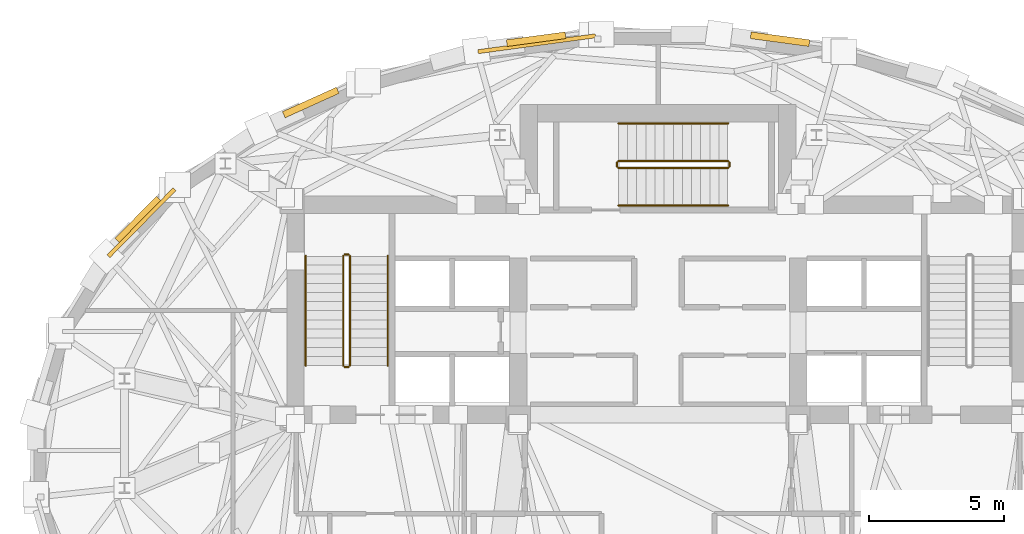
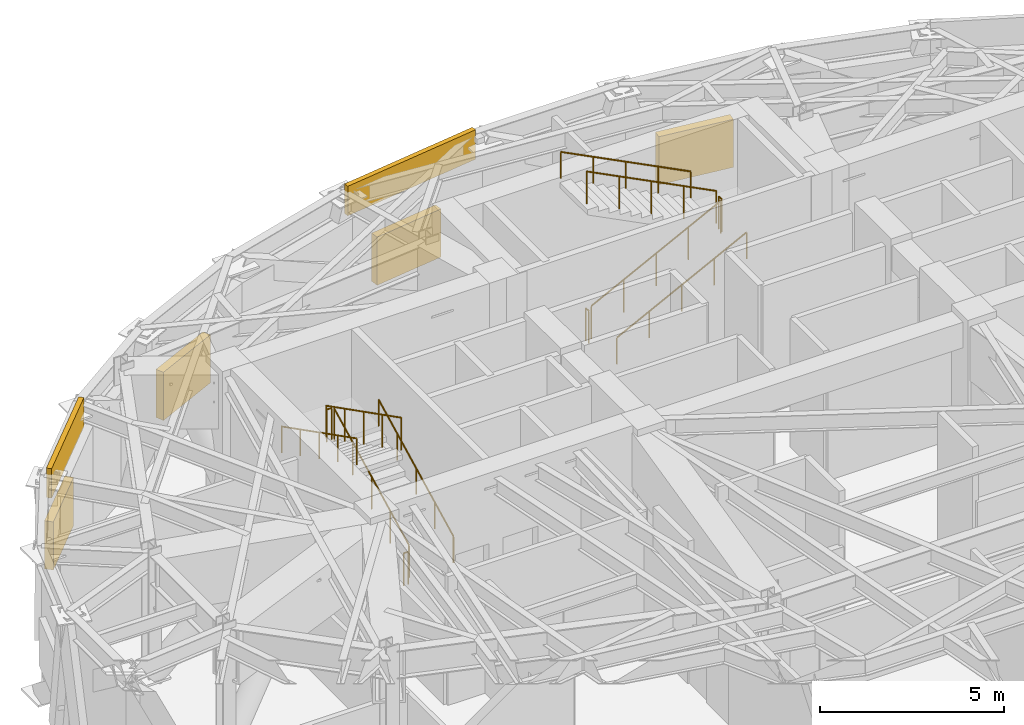
# One storey, part 11 of 12: 12 railings, 4 shading devices, 2 coverings.
"""IFC4 building model written with IfcOpenShell, lengths in metres."""

import ifcopenshell
import ifcopenshell.guid

model = None  # the IFC model being written
_history = None  # IfcOwnerHistory: only IFC2X3 demands one
_inside = {}  # id of a spatial element -> (the spatial element, [elements in it])
_under = {}  # id of a project, library or spatial element -> (it, [spatial elements below it])
_declared = {}  # id of a project -> (the project, [libraries it declares])
_typed = {}  # id of a type object -> (the type object, [elements of that type])
_made_of = {}  # id of a material, layer set ... -> (it, [elements and type objects made of it])


def new_model(schema):
    """Start an empty IFC model of exactly this schema.

    Asked for "IFC4X3", IfcOpenShell would pick the latest addendum, in which some entities
    have other attributes; the version numbers below select the first issue.
    IFC2X3 requires an IfcOwnerHistory on every rooted entity: one is made here for all.
    """
    global model, _history
    if schema == "IFC4X3":
        model = ifcopenshell.file(schema_version=(4, 3, 0, 0))
    else:
        model = ifcopenshell.file(schema=schema)
    _inside.clear()
    _under.clear()
    _declared.clear()
    _typed.clear()
    _made_of.clear()
    _history = None
    if model.schema == "IFC2X3":
        org = make("IfcOrganization", Name="unknown")
        user = make(
            "IfcPersonAndOrganization",
            ThePerson=make("IfcPerson", FamilyName="unknown"),
            TheOrganization=org,
        )
        app = make(
            "IfcApplication",
            ApplicationDeveloper=org,
            Version="unknown",
            ApplicationFullName="unknown",
            ApplicationIdentifier="unknown",
        )
        _history = make(
            "IfcOwnerHistory",
            OwningUser=user,
            OwningApplication=app,
            ChangeAction="ADDED",
            CreationDate=0,
        )
    return model


def make(cls, **values):
    """One entity of the class cls with the attributes given. An attribute that is None is left unset."""
    return model.create_entity(
        cls, **{name: value for name, value in values.items() if value is not None}
    )


def rooted(cls, **values):
    """An entity with a GlobalId (a new one), such as an element, a storey or a relation."""
    return make(cls, GlobalId=ifcopenshell.guid.new(), OwnerHistory=_history, **values)


def si_unit(unit_type, name, prefix=None):
    """IfcSIUnit, for example si_unit("LENGTHUNIT", "METRE", prefix="MILLI")."""
    return make("IfcSIUnit", UnitType=unit_type, Prefix=prefix, Name=name)


def assignment(units):
    """IfcUnitAssignment: the units of a project."""
    return None if units is None else make("IfcUnitAssignment", Units=units)


def point(xyz):
    """IfcCartesianPoint."""
    return None if xyz is None else make("IfcCartesianPoint", Coordinates=xyz)


def direction(xyz):
    """IfcDirection."""
    return None if xyz is None else make("IfcDirection", DirectionRatios=xyz)


def frame(location, z_axis=None, x_axis=None):
    """IfcAxis2Placement3D, a coordinate frame: its origin and axes. An axis left out is left unset."""
    return make(
        "IfcAxis2Placement3D",
        Location=point(location),
        Axis=direction(z_axis),
        RefDirection=direction(x_axis),
    )


def frame_2d(location, x_axis=None):
    """IfcAxis2Placement2D, a coordinate frame in the plane: its origin and x axis."""
    return make(
        "IfcAxis2Placement2D", Location=point(location), RefDirection=direction(x_axis)
    )


def origin():
    """The frame at (0, 0, 0) with its axes left unset."""
    return frame((0.0, 0.0, 0.0))


def origin_2d():
    """The frame at (0, 0) in the plane with its x axis left unset."""
    return frame_2d((0.0, 0.0))


def place(relative_to, where):
    """IfcLocalPlacement: puts the frame where relative to a parent placement (None: the world)."""
    return make(
        "IfcLocalPlacement", PlacementRelTo=relative_to, RelativePlacement=where
    )


def context(
    kind, dimensions, precision=None, world=None, true_north=None, identifier=None
):
    """IfcGeometricRepresentationContext, for example the 3D "Model" context."""
    return make(
        "IfcGeometricRepresentationContext",
        ContextIdentifier=identifier,
        ContextType=kind,
        CoordinateSpaceDimension=dimensions,
        Precision=precision,
        WorldCoordinateSystem=world,
        TrueNorth=true_north,
    )


def subcontext(parent, identifier, kind, view, scale=None):
    """IfcGeometricRepresentationSubContext, for example "Body" below "Model"."""
    return make(
        "IfcGeometricRepresentationSubContext",
        ContextIdentifier=identifier,
        ContextType=kind,
        ParentContext=parent,
        TargetScale=scale,
        TargetView=view,
    )


def project(units=None, contexts=None):
    """IfcProject with its units and contexts."""
    return rooted(
        "IfcProject",
        Name="project",
        RepresentationContexts=contexts,
        UnitsInContext=assignment(units),
    )


def spatial(cls, under=None, at=None, **own):
    """A site, building, storey or space (cls), placed at a placement, below another one or the project."""
    s = rooted(cls, ObjectPlacement=at, **own)
    if under is not None:
        _under.setdefault(under.id(), (under, []))[1].append(s)
    return s


def profile(cls, at=None, kind="AREA", **sizes):
    """A parametric profile (cls). Its sizes go by their IFC names, for example OverallWidth=200.0."""
    return make(cls, ProfileType=kind, Position=at, **sizes)


def rectangle(**sizes):
    """IfcRectangleProfileDef."""
    return profile("IfcRectangleProfileDef", **sizes)


def circle(**sizes):
    """IfcCircleProfileDef."""
    return profile("IfcCircleProfileDef", **sizes)


def extrude(swept, where, along, depth):
    """IfcExtrudedAreaSolid: the profile swept, set in the frame where, extruded along a direction by depth."""
    return make(
        "IfcExtrudedAreaSolid",
        SweptArea=swept,
        Position=where,
        ExtrudedDirection=direction(along),
        Depth=depth,
    )


def shape(context_of_items, identifier, shape_type, items):
    """IfcShapeRepresentation: the items that make up one representation, for example the "Body"."""
    return make(
        "IfcShapeRepresentation",
        ContextOfItems=context_of_items,
        RepresentationIdentifier=identifier,
        RepresentationType=shape_type,
        Items=items,
    )


def material(Name=None, Category=None):
    """IfcMaterial."""
    return make("IfcMaterial", Name=Name, Category=Category)


def layer(
    of_material, thickness, ventilated=None, Name=None, Category=None, Priority=None
):
    """IfcMaterialLayer: one layer of a wall or slab, of a material (None: an air gap)."""
    return make(
        "IfcMaterialLayer",
        Material=of_material,
        LayerThickness=thickness,
        IsVentilated=ventilated,
        Name=Name,
        Category=Category,
        Priority=Priority,
    )


def layer_set(layers, Name=None):
    """IfcMaterialLayerSet."""
    return make("IfcMaterialLayerSet", MaterialLayers=layers, LayerSetName=Name)


def made_of(thing, what):
    """Note that an element or type object is made of a material, layer set ...; save() writes the relation."""
    if what is not None:
        _made_of.setdefault(what.id(), (what, []))[1].append(thing)
    return thing


def type_object(cls, material=None, **own):
    """A type object (cls), such as IfcWallType, which elements share."""
    return made_of(rooted(cls, **own), material)


def element(
    cls,
    number,
    at=None,
    inside=None,
    cuts=None,
    type_object=None,
    material=None,
    context=None,
    identifier="Body",
    shape_type=None,
    held_by="IfcProductDefinitionShape",
    body=None,
    shapes=None,
    **own,
):
    """One element of the class cls, such as IfcWall. Its Tag is "e" and its number.

    at: its placement. inside: the storey or other place that contains it. cuts: it is an
    opening in that element (IfcRelVoidsElement). A single representation is given by context,
    identifier, shape_type and body (its items); several are given by shapes. held_by: the class
    of the entity that holds the representations. save() writes the other relations.
    """
    e = rooted(cls, Tag="e%d" % number, ObjectPlacement=at, **own)
    if body is not None:
        shapes = [shape(context, identifier, shape_type, body)]
    if shapes is not None:
        e.Representation = make(held_by, Representations=shapes)
    if inside is not None:
        _inside.setdefault(inside.id(), (inside, []))[1].append(e)
    if cuts is not None:
        rooted(
            "IfcRelVoidsElement", RelatingBuildingElement=cuts, RelatedOpeningElement=e
        )
    if type_object is not None:
        _typed.setdefault(type_object.id(), (type_object, []))[1].append(e)
    return made_of(e, material)


def aggregate(whole, parts):
    """IfcRelAggregates: a whole, such as a stair, and the parts it consists of."""
    return rooted("IfcRelAggregates", RelatingObject=whole, RelatedObjects=parts)


def save(model, path):
    """Write the relations noted so far, then the file.

    IfcRelAggregates (storeys below a building ...), IfcRelContainedInSpatialStructure (elements
    in a storey), IfcRelDefinesByType, IfcRelAssociatesMaterial and IfcRelDeclares: one each for
    every whole, place, type object, material and project.
    """
    for whole, parts in _under.values():
        aggregate(whole, parts)
    for where, things in _inside.values():
        rooted(
            "IfcRelContainedInSpatialStructure",
            RelatedElements=things,
            RelatingStructure=where,
        )
    for kind, things in _typed.values():
        rooted("IfcRelDefinesByType", RelatedObjects=things, RelatingType=kind)
    for what, things in _made_of.values():
        rooted("IfcRelAssociatesMaterial", RelatedObjects=things, RelatingMaterial=what)
    for by, libraries in _declared.values():
        rooted("IfcRelDeclares", RelatingContext=by, RelatedDefinitions=libraries)
    model.write(path)


model = new_model("IFC4")

# Units and contexts
model_context = context("Model", 3, precision=1e-05, world=origin(), true_north=direction((0.0, 1.0)))
body_context = subcontext(model_context, "Body", "Model", "MODEL_VIEW")
ifc_project = project(units=[si_unit("LENGTHUNIT", "METRE"), si_unit("AREAUNIT", "SQUARE_METRE"), si_unit("VOLUMEUNIT", "CUBIC_METRE"), si_unit("PLANEANGLEUNIT", "RADIAN"), si_unit("MASSUNIT", "GRAM", prefix="KILO")], contexts=[model_context])

# Site, building, storey
site_placement = place(None, origin())
site = spatial("IfcSite", under=ifc_project, at=site_placement, CompositionType="ELEMENT")
building_placement = place(site_placement, origin())
building = spatial("IfcBuilding", under=site, at=building_placement, Name="Keldmark Tower", CompositionType="ELEMENT")
storey_placement = place(building_placement, frame((0.0, 0.0, 201.39990234375)))
storey = spatial("IfcBuildingStorey", under=building, at=storey_placement, Name="L56", CompositionType="ELEMENT", Elevation=201.39990234375)

# Coverings
ifc_material_1 = material(Name="Honed Kasota Buff Dolomitic Limestone", Category="masonry")
ifc_layer = layer(ifc_material_1, 0.074951171875)
ifc_layer_set = layer_set([ifc_layer], Name="Honed Kasota Buff Dolomitic Limestone")
covering_type = type_object("IfcCoveringType", Name="Kasota Buff Limestone Spandrel Cladding Band", PredefinedType="CLADDING", material=ifc_layer_set)
covering_1_placement = place(storey_placement, frame((-4.509033203125, 15.312744140625, 3.4990234375), z_axis=(0.0, 0.0, 1.0), x_axis=(-0.991027576728, -0.133657555584, 0.0)))
element("IfcCovering", 1, at=covering_1_placement, inside=storey, type_object=covering_type, Name="L56 Kasota Limestone Spandrel Band 09", PredefinedType="CLADDING", context=body_context, shape_type="SweptSolid", body=[
    extrude(rectangle(XDim=4.400390625, YDim=0.14990234375, at=origin_2d()), origin(), (0.0, 0.0, 1.0), 0.98095703125),
])
covering_2_placement = place(storey_placement, frame((-19.20166015625, 8.658447265625, 3.4990234375), z_axis=(0.0, 0.0, 1.0), x_axis=(-0.701892034663, -0.712283350695, 0.0)))
element("IfcCovering", 2, at=covering_2_placement, inside=storey, type_object=covering_type, Name="L56 Kasota Limestone Spandrel Band 13", PredefinedType="CLADDING", context=body_context, shape_type="SweptSolid", body=[
    extrude(rectangle(XDim=3.49560546875, YDim=0.14990234375, at=origin_2d()), origin(), (0.0, 0.0, 1.0), 0.98095703125),
])

# Shading devices
ifc_material_2 = material(Name="Fluoropolymer-Coated Extruded Aluminum Stormproof Blades", Category="aluminium")
shading_device_type = type_object("IfcShadingDeviceType", Name="Mechanical Floor Acoustic Intake Louvre", PredefinedType="JALOUSIE", material=ifc_material_2)
for number, where, z_axis, x_axis, name in (
    (3, (4.53173828125, 15.481201171875, 0.650146484375), (0.0, 0.0, 1.0), (-0.991027576728, 0.133657555584, 0.0), "L56 Acoustic Stormproof Louvre 07"),
    (4, (-4.53173828125, 15.481201171875, 0.650146484375), (0.0, 0.0, 1.0), (-0.991027576728, -0.133657555584, 0.0), "L56 Acoustic Stormproof Louvre 09"),
    (5, (-12.9072265625, 13.128662109375, 0.650146484375), (0.0, 0.0, 1.0), (-0.910863824921, -0.412707029804, 0.0), "L56 Acoustic Stormproof Louvre 11"),
    (6, (-19.32275390625, 8.77783203125, 0.650146484375), (0.0, 0.0, 1.0), (-0.701892034663, -0.712283350695, 0.0), "L56 Acoustic Stormproof Louvre 13"),
):
    element("IfcShadingDevice", number, at=place(storey_placement, frame(where, z_axis=z_axis, x_axis=x_axis)), inside=storey, type_object=shading_device_type, Name=name, PredefinedType="JALOUSIE", context=body_context, shape_type="SweptSolid", body=[
        extrude(rectangle(XDim=2.199951171875, YDim=0.25, at=origin_2d()), origin(), (0.0, 0.0, 1.0), 1.60009765625),
    ])

# Railings
ifc_material_3 = material(Name="Painted Steel ASTM A500 Grade B", Category="steel")
railing_type_1 = type_object("IfcRailingType", Name="Painted Steel Stair Well Guard 1100 mm", PredefinedType="GUARDRAIL", material=ifc_material_3)
railing_1_placement = place(storey_placement, frame((-11.449951171875, 3.35009765625, 0.173095703125)))
element("IfcRailing", 7, at=railing_1_placement, inside=storey, type_object=railing_type_1, Name="L56 ST1 stair guard 1", PredefinedType="GUARDRAIL", context=body_context, shape_type="SweptSolid", body=[
    extrude(circle(Radius=0.02392578125, at=origin_2d()), frame((0.0, 0.0, 1.076171875), z_axis=(0.0, 0.891172131844, 0.453665329759), x_axis=(-1.0, 0.0, 0.0)), (0.0, 0.0, 1.0), 4.578125),
    extrude(circle(Radius=0.02099609375, at=origin_2d()), origin(), (0.0, 0.0, 1.0), 1.052001953125),
    extrude(circle(Radius=0.02099609375, at=origin_2d()), frame((0.0, 1.02001953125, 0.519287109375)), (0.0, 0.0, 1.0), 1.052001953125),
    extrude(circle(Radius=0.02099609375, at=origin_2d()), frame((0.0, 2.0400390625, 1.03857421875)), (0.0, 0.0, 1.0), 1.052001953125),
    extrude(circle(Radius=0.02099609375, at=origin_2d()), frame((0.0, 3.059814453125, 1.5576171875)), (0.0, 0.0, 1.0), 1.052001953125),
    extrude(circle(Radius=0.02099609375, at=origin_2d()), frame((0.0, 4.079833984375, 2.076904296875)), (0.0, 0.0, 1.0), 1.052001953125),
])
railing_2_placement = place(storey_placement, frame((-11.5, 7.47998046875, 2.25)))
element("IfcRailing", 8, at=railing_2_placement, inside=storey, type_object=railing_type_1, Name="L56 ST1 stair guard 2", PredefinedType="GUARDRAIL", context=body_context, shape_type="SweptSolid", body=[
    extrude(circle(Radius=0.02392578125, at=origin_2d()), frame((0.0, 0.0, 1.076171875), z_axis=(-1.0, 0.0, 0.0), x_axis=(0.0, -1.0, 0.0)), (0.0, 0.0, 1.0), 0.14990234375),
    extrude(circle(Radius=0.02099609375, at=origin_2d()), origin(), (0.0, 0.0, 1.0), 1.052001953125),
    extrude(circle(Radius=0.02099609375, at=origin_2d()), frame((-0.14990234375, 0.0, 0.0)), (0.0, 0.0, 1.0), 1.052001953125),
])
railing_3_placement = place(storey_placement, frame((-11.699951171875, 7.429931640625, 2.423095703125)))
element("IfcRailing", 9, at=railing_3_placement, inside=storey, type_object=railing_type_1, Name="L56 ST1 stair guard 3", PredefinedType="GUARDRAIL", context=body_context, shape_type="SweptSolid", body=[
    extrude(circle(Radius=0.02392578125, at=origin_2d()), frame((0.0, 0.0, 1.076171875), z_axis=(0.0, -0.891172131844, 0.453665329759), x_axis=(1.0, 0.0, 0.0)), (0.0, 0.0, 1.0), 4.578125),
    extrude(circle(Radius=0.02099609375, at=origin_2d()), origin(), (0.0, 0.0, 1.0), 1.052001953125),
    extrude(circle(Radius=0.02099609375, at=origin_2d()), frame((0.0, -1.02001953125, 0.519287109375)), (0.0, 0.0, 1.0), 1.052001953125),
    extrude(circle(Radius=0.02099609375, at=origin_2d()), frame((0.0, -2.0400390625, 1.03857421875)), (0.0, 0.0, 1.0), 1.052001953125),
    extrude(circle(Radius=0.02099609375, at=origin_2d()), frame((0.0, -3.059814453125, 1.5576171875)), (0.0, 0.0, 1.0), 1.052001953125),
    extrude(circle(Radius=0.02099609375, at=origin_2d()), frame((0.0, -4.079833984375, 2.076904296875)), (0.0, 0.0, 1.0), 1.052001953125),
])
railing_4_placement = place(storey_placement, frame((-11.5, 3.300048828125, 0.0)))
element("IfcRailing", 10, at=railing_4_placement, inside=storey, type_object=railing_type_1, Name="L56 ST1 stair guard 4", PredefinedType="GUARDRAIL", context=body_context, shape_type="SweptSolid", body=[
    extrude(circle(Radius=0.02392578125, at=origin_2d()), frame((0.0, 0.0, 1.076171875), z_axis=(-1.0, 0.0, 0.0), x_axis=(0.0, -1.0, 0.0)), (0.0, 0.0, 1.0), 0.14990234375),
    extrude(circle(Radius=0.02099609375, at=origin_2d()), origin(), (0.0, 0.0, 1.0), 1.052001953125),
    extrude(circle(Radius=0.02099609375, at=origin_2d()), frame((-0.14990234375, 0.0, 0.0)), (0.0, 0.0, 1.0), 1.052001953125),
])
railing_5_placement = place(storey_placement, frame((-1.47509765625, 10.699951171875, 0.173095703125)))
element("IfcRailing", 11, at=railing_5_placement, inside=storey, type_object=railing_type_1, Name="L56 ST3 stair guard 1", PredefinedType="GUARDRAIL", context=body_context, shape_type="SweptSolid", body=[
    extrude(circle(Radius=0.02392578125, at=origin_2d()), frame((0.0, 0.0, 1.076171875), z_axis=(0.891183106714, 0.0, 0.453643770274), x_axis=(0.0, 1.0, 0.0)), (0.0, 0.0, 1.0), 4.578369140625),
    extrude(circle(Radius=0.02099609375, at=origin_2d()), origin(), (0.0, 0.0, 1.0), 1.052001953125),
    extrude(circle(Radius=0.02099609375, at=origin_2d()), frame((1.02001953125, 0.0, 0.519287109375)), (0.0, 0.0, 1.0), 1.052001953125),
    extrude(circle(Radius=0.02099609375, at=origin_2d()), frame((2.0400390625, 0.0, 1.03857421875)), (0.0, 0.0, 1.0), 1.052001953125),
    extrude(circle(Radius=0.02099609375, at=origin_2d()), frame((3.06005859375, 0.0, 1.5576171875)), (0.0, 0.0, 1.0), 1.052001953125),
    extrude(circle(Radius=0.02099609375, at=origin_2d()), frame((4.080078125, 0.0, 2.076904296875)), (0.0, 0.0, 1.0), 1.052001953125),
])
railing_6_placement = place(storey_placement, frame((2.655029296875, 10.75, 2.25)))
element("IfcRailing", 12, at=railing_6_placement, inside=storey, type_object=railing_type_1, Name="L56 ST3 stair guard 2", PredefinedType="GUARDRAIL", context=body_context, shape_type="SweptSolid", body=[
    extrude(circle(Radius=0.02392578125, at=origin_2d()), frame((0.0, 0.0, 1.076171875), z_axis=(0.0, 1.0, 0.0), x_axis=(-1.0, 0.0, 0.0)), (0.0, 0.0, 1.0), 0.14990234375),
    extrude(circle(Radius=0.02099609375, at=origin_2d()), origin(), (0.0, 0.0, 1.0), 1.052001953125),
    extrude(circle(Radius=0.02099609375, at=origin_2d()), frame((0.0, 0.14990234375, 0.0)), (0.0, 0.0, 1.0), 1.052001953125),
])
railing_7_placement = place(storey_placement, frame((2.60498046875, 10.949951171875, 2.423095703125)))
element("IfcRailing", 13, at=railing_7_placement, inside=storey, type_object=railing_type_1, Name="L56 ST3 stair guard 3", PredefinedType="GUARDRAIL", context=body_context, shape_type="SweptSolid", body=[
    extrude(circle(Radius=0.02392578125, at=origin_2d()), frame((0.0, 0.0, 1.076171875), z_axis=(-0.891183106714, 0.0, 0.453643770274), x_axis=(0.0, -1.0, 0.0)), (0.0, 0.0, 1.0), 4.578369140625),
    extrude(circle(Radius=0.02099609375, at=origin_2d()), origin(), (0.0, 0.0, 1.0), 1.052001953125),
    extrude(circle(Radius=0.02099609375, at=origin_2d()), frame((-1.02001953125, 0.0, 0.519287109375)), (0.0, 0.0, 1.0), 1.052001953125),
    extrude(circle(Radius=0.02099609375, at=origin_2d()), frame((-2.0400390625, 0.0, 1.03857421875)), (0.0, 0.0, 1.0), 1.052001953125),
    extrude(circle(Radius=0.02099609375, at=origin_2d()), frame((-3.06005859375, 0.0, 1.5576171875)), (0.0, 0.0, 1.0), 1.052001953125),
    extrude(circle(Radius=0.02099609375, at=origin_2d()), frame((-4.080078125, 0.0, 2.076904296875)), (0.0, 0.0, 1.0), 1.052001953125),
])
railing_8_placement = place(storey_placement, frame((-1.52490234375, 10.75, 0.0)))
element("IfcRailing", 14, at=railing_8_placement, inside=storey, type_object=railing_type_1, Name="L56 ST3 stair guard 4", PredefinedType="GUARDRAIL", context=body_context, shape_type="SweptSolid", body=[
    extrude(circle(Radius=0.02392578125, at=origin_2d()), frame((0.0, 0.0, 1.076171875), z_axis=(0.0, 1.0, 0.0), x_axis=(-1.0, 0.0, 0.0)), (0.0, 0.0, 1.0), 0.14990234375),
    extrude(circle(Radius=0.02099609375, at=origin_2d()), origin(), (0.0, 0.0, 1.0), 1.052001953125),
    extrude(circle(Radius=0.02099609375, at=origin_2d()), frame((0.0, 0.14990234375, 0.0)), (0.0, 0.0, 1.0), 1.052001953125),
])
ifc_material_4 = material(Name="Stainless Steel AISI 316L", Category="steel")
railing_type_2 = type_object("IfcRailingType", Name="Stainless Steel Stair Handrail 900 mm", PredefinedType="HANDRAIL", material=ifc_material_4)
railing_9_placement = place(storey_placement, frame((-10.050048828125, 3.35009765625, 0.173095703125)))
element("IfcRailing", 15, at=railing_9_placement, inside=storey, type_object=railing_type_2, Name="L56 ST1 stair handrail 1", PredefinedType="HANDRAIL", context=body_context, shape_type="SweptSolid", body=[
    extrude(circle(Radius=0.02392578125, at=origin_2d()), frame((0.0, 0.0, 0.8759765625), z_axis=(0.0, 0.891172131844, 0.453665329759), x_axis=(-1.0, 0.0, 0.0)), (0.0, 0.0, 1.0), 4.578125),
    extrude(circle(Radius=0.02099609375, at=origin_2d()), origin(), (0.0, 0.0, 1.0), 0.851806640625),
    extrude(circle(Radius=0.02099609375, at=origin_2d()), frame((0.0, 1.02001953125, 0.519287109375)), (0.0, 0.0, 1.0), 0.851806640625),
    extrude(circle(Radius=0.02099609375, at=origin_2d()), frame((0.0, 2.0400390625, 1.03857421875)), (0.0, 0.0, 1.0), 0.851806640625),
    extrude(circle(Radius=0.02099609375, at=origin_2d()), frame((0.0, 3.059814453125, 1.5576171875)), (0.0, 0.0, 1.0), 0.851806640625),
    extrude(circle(Radius=0.02099609375, at=origin_2d()), frame((0.0, 4.079833984375, 2.076904296875)), (0.0, 0.0, 1.0), 0.851806640625),
])
railing_10_placement = place(storey_placement, frame((-13.10009765625, 7.429931640625, 2.423095703125)))
element("IfcRailing", 16, at=railing_10_placement, inside=storey, type_object=railing_type_2, Name="L56 ST1 stair handrail 2", PredefinedType="HANDRAIL", context=body_context, shape_type="SweptSolid", body=[
    extrude(circle(Radius=0.02392578125, at=origin_2d()), frame((0.0, 0.0, 0.8759765625), z_axis=(0.0, -0.891172131844, 0.453665329759), x_axis=(1.0, 0.0, 0.0)), (0.0, 0.0, 1.0), 4.578125),
    extrude(circle(Radius=0.02099609375, at=origin_2d()), origin(), (0.0, 0.0, 1.0), 0.851806640625),
    extrude(circle(Radius=0.02099609375, at=origin_2d()), frame((0.0, -1.02001953125, 0.519287109375)), (0.0, 0.0, 1.0), 0.851806640625),
    extrude(circle(Radius=0.02099609375, at=origin_2d()), frame((0.0, -2.0400390625, 1.03857421875)), (0.0, 0.0, 1.0), 0.851806640625),
    extrude(circle(Radius=0.02099609375, at=origin_2d()), frame((0.0, -3.059814453125, 1.5576171875)), (0.0, 0.0, 1.0), 0.851806640625),
    extrude(circle(Radius=0.02099609375, at=origin_2d()), frame((0.0, -4.079833984375, 2.076904296875)), (0.0, 0.0, 1.0), 0.851806640625),
])
railing_11_placement = place(storey_placement, frame((-1.47509765625, 9.300048828125, 0.173095703125)))
element("IfcRailing", 17, at=railing_11_placement, inside=storey, type_object=railing_type_2, Name="L56 ST3 stair handrail 1", PredefinedType="HANDRAIL", context=body_context, shape_type="SweptSolid", body=[
    extrude(circle(Radius=0.02392578125, at=origin_2d()), frame((0.0, 0.0, 0.8759765625), z_axis=(0.891183106714, 0.0, 0.453643770274), x_axis=(0.0, 1.0, 0.0)), (0.0, 0.0, 1.0), 4.578369140625),
    extrude(circle(Radius=0.02099609375, at=origin_2d()), origin(), (0.0, 0.0, 1.0), 0.851806640625),
    extrude(circle(Radius=0.02099609375, at=origin_2d()), frame((1.02001953125, 0.0, 0.519287109375)), (0.0, 0.0, 1.0), 0.851806640625),
    extrude(circle(Radius=0.02099609375, at=origin_2d()), frame((2.0400390625, 0.0, 1.03857421875)), (0.0, 0.0, 1.0), 0.851806640625),
    extrude(circle(Radius=0.02099609375, at=origin_2d()), frame((3.06005859375, 0.0, 1.5576171875)), (0.0, 0.0, 1.0), 0.851806640625),
    extrude(circle(Radius=0.02099609375, at=origin_2d()), frame((4.080078125, 0.0, 2.076904296875)), (0.0, 0.0, 1.0), 0.851806640625),
])
railing_12_placement = place(storey_placement, frame((2.60498046875, 12.35009765625, 2.423095703125)))
element("IfcRailing", 18, at=railing_12_placement, inside=storey, type_object=railing_type_2, Name="L56 ST3 stair handrail 2", PredefinedType="HANDRAIL", context=body_context, shape_type="SweptSolid", body=[
    extrude(circle(Radius=0.02392578125, at=origin_2d()), frame((0.0, 0.0, 0.8759765625), z_axis=(-0.891183106714, 0.0, 0.453643770274), x_axis=(0.0, -1.0, 0.0)), (0.0, 0.0, 1.0), 4.578369140625),
    extrude(circle(Radius=0.02099609375, at=origin_2d()), origin(), (0.0, 0.0, 1.0), 0.851806640625),
    extrude(circle(Radius=0.02099609375, at=origin_2d()), frame((-1.02001953125, 0.0, 0.519287109375)), (0.0, 0.0, 1.0), 0.851806640625),
    extrude(circle(Radius=0.02099609375, at=origin_2d()), frame((-2.0400390625, 0.0, 1.03857421875)), (0.0, 0.0, 1.0), 0.851806640625),
    extrude(circle(Radius=0.02099609375, at=origin_2d()), frame((-3.06005859375, 0.0, 1.5576171875)), (0.0, 0.0, 1.0), 0.851806640625),
    extrude(circle(Radius=0.02099609375, at=origin_2d()), frame((-4.080078125, 0.0, 2.076904296875)), (0.0, 0.0, 1.0), 0.851806640625),
])

save(model, "model.ifc")
